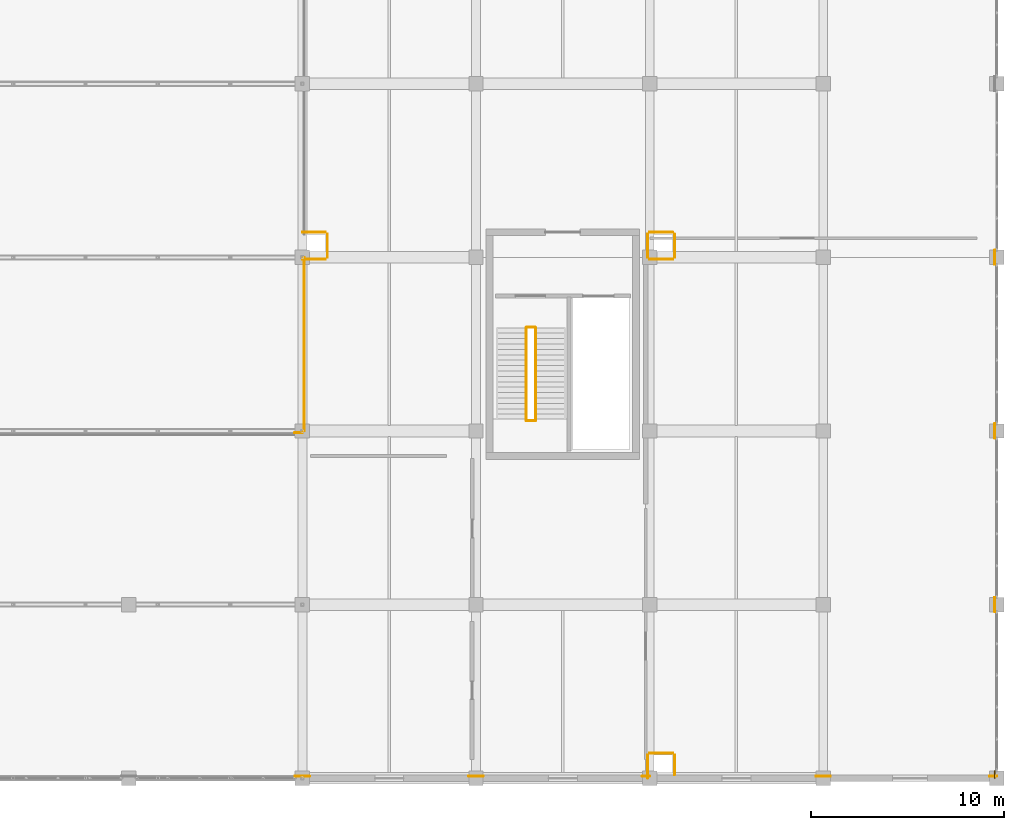
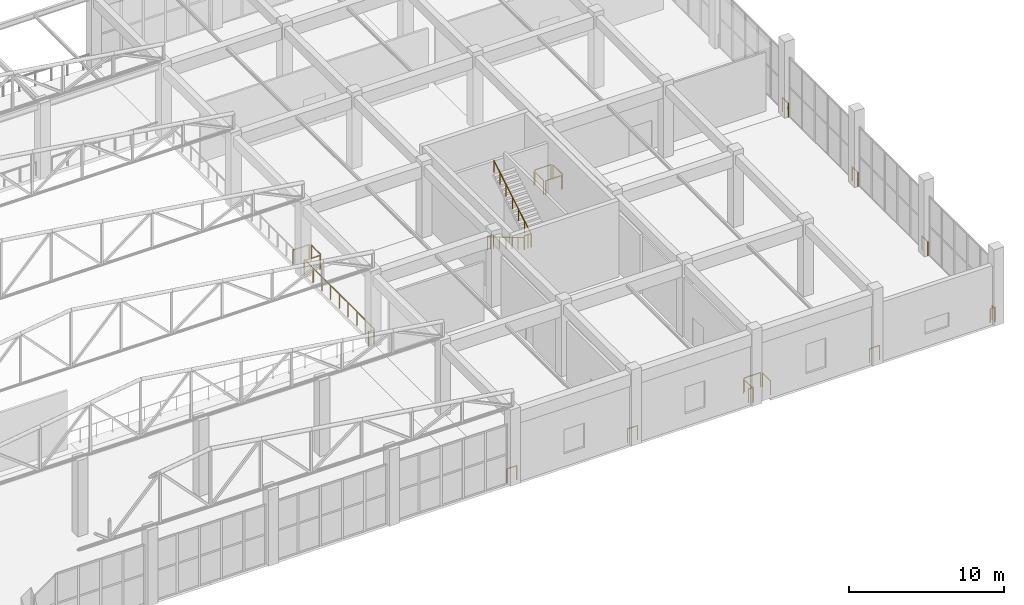
# One storey, part 215 of 223: 25 railings.
"""IFC4 building model written with IfcOpenShell, lengths in metres."""

from ifc_helpers import new_model, si_unit, direction, frame, origin, origin_2d, place, context, subcontext, project, spatial, circle, extrude, material, type_object, element, save


model = new_model("IFC4")

# Units and contexts
model_context = context("Model", 3, precision=1e-05, world=origin(), true_north=direction((0.0, 1.0)))
body_context = subcontext(model_context, "Body", "Model", "MODEL_VIEW")
ifc_project = project(units=[si_unit("LENGTHUNIT", "METRE"), si_unit("AREAUNIT", "SQUARE_METRE"), si_unit("VOLUMEUNIT", "CUBIC_METRE"), si_unit("PLANEANGLEUNIT", "RADIAN"), si_unit("MASSUNIT", "GRAM", prefix="KILO")], contexts=[model_context])

# Site, building, storey
site_placement = place(None, origin())
site = spatial("IfcSite", under=ifc_project, at=site_placement, CompositionType="ELEMENT")
building_placement = place(site_placement, origin())
building = spatial("IfcBuilding", under=site, at=building_placement, Name="Dornveld Trade and Exhibition Forum", CompositionType="ELEMENT")
storey_placement = place(building_placement, frame((0.0, 0.0, 6.0)))
storey = spatial("IfcBuildingStorey", under=building, at=storey_placement, Name="L01", CompositionType="ELEMENT", Elevation=6.0)

# Railings
ifc_material_1 = material(Name="Dark-bronze steel and laminated glass balustrade", Category="steel")
railing_type_1 = type_object("IfcRailingType", Name="RL-BALUST-CONC", PredefinedType="BALUSTRADE", material=ifc_material_1)
railing_1_placement = place(storey_placement, frame((197.60009765625, 17.89990234375, 0.0)))
element("IfcRailing", 1, at=railing_1_placement, inside=storey, type_object=railing_type_1, Name="L01 deck edge balustrade 2", PredefinedType="BALUSTRADE", context=body_context, shape_type="SweptSolid", body=[
    extrude(circle(Radius=0.02490234375, at=origin_2d()), frame((0.0, 0.0, 1.09521484375), z_axis=(1.0, 0.0, 0.0), x_axis=(0.0, 1.0, 0.0)), (0.0, 0.0, 1.0), 0.39990234375),
    extrude(circle(Radius=0.02099609375, at=origin_2d()), origin(), (0.0, 0.0, 1.0), 1.070068359375),
    extrude(circle(Radius=0.02099609375, at=origin_2d()), frame((0.39990234375, 0.0, 0.0)), (0.0, 0.0, 1.0), 1.070068359375),
])
railing_2_placement = place(storey_placement, frame((198.10009765625, 18.0, 0.0)))
element("IfcRailing", 2, at=railing_2_placement, inside=storey, type_object=railing_type_1, Name="L01 deck edge balustrade 3", PredefinedType="BALUSTRADE", context=body_context, shape_type="SweptSolid", body=[
    extrude(circle(Radius=0.02490234375, at=origin_2d()), frame((0.0, 0.0, 1.09521484375), z_axis=(0.0, 1.0, 0.0), x_axis=(-1.0, 0.0, 0.0)), (0.0, 0.0, 1.0), 9.0),
    extrude(circle(Radius=0.02099609375, at=origin_2d()), origin(), (0.0, 0.0, 1.0), 1.070068359375),
    extrude(circle(Radius=0.02099609375, at=origin_2d()), frame((0.0, 1.125, 0.0)), (0.0, 0.0, 1.0), 1.070068359375),
    extrude(circle(Radius=0.02099609375, at=origin_2d()), frame((0.0, 2.25, 0.0)), (0.0, 0.0, 1.0), 1.070068359375),
    extrude(circle(Radius=0.02099609375, at=origin_2d()), frame((0.0, 3.375, 0.0)), (0.0, 0.0, 1.0), 1.070068359375),
    extrude(circle(Radius=0.02099609375, at=origin_2d()), frame((0.0, 4.5, 0.0)), (0.0, 0.0, 1.0), 1.070068359375),
    extrude(circle(Radius=0.02099609375, at=origin_2d()), frame((0.0, 5.625, 0.0)), (0.0, 0.0, 1.0), 1.070068359375),
    extrude(circle(Radius=0.02099609375, at=origin_2d()), frame((0.0, 6.75, 0.0)), (0.0, 0.0, 1.0), 1.070068359375),
    extrude(circle(Radius=0.02099609375, at=origin_2d()), frame((0.0, 7.875, 0.0)), (0.0, 0.0, 1.0), 1.070068359375),
    extrude(circle(Radius=0.02099609375, at=origin_2d()), frame((0.0, 9.0, 0.0)), (0.0, 0.0, 1.0), 1.070068359375),
])
railing_3_placement = place(storey_placement, frame((198.0, 26.89990234375, 0.0)))
element("IfcRailing", 3, at=railing_3_placement, inside=storey, type_object=railing_type_1, Name="L01 deck edge balustrade 4", PredefinedType="BALUSTRADE", context=body_context, shape_type="SweptSolid", body=[
    extrude(circle(Radius=0.02490234375, at=origin_2d()), frame((0.0, 0.0, 1.09521484375), z_axis=(1.0, 0.0, 0.0), x_axis=(0.0, 1.0, 0.0)), (0.0, 0.0, 1.0), 1.199951171875),
    extrude(circle(Radius=0.02099609375, at=origin_2d()), origin(), (0.0, 0.0, 1.0), 1.070068359375),
    extrude(circle(Radius=0.02099609375, at=origin_2d()), frame((1.199951171875, 0.0, 0.0)), (0.0, 0.0, 1.0), 1.070068359375),
])
railing_4_placement = place(storey_placement, frame((199.300048828125, 27.0, 0.0)))
element("IfcRailing", 4, at=railing_4_placement, inside=storey, type_object=railing_type_1, Name="L01 deck edge balustrade 5", PredefinedType="BALUSTRADE", context=body_context, shape_type="SweptSolid", body=[
    extrude(circle(Radius=0.02490234375, at=origin_2d()), frame((0.0, 0.0, 1.09521484375), z_axis=(0.0, 1.0, 0.0), x_axis=(-1.0, 0.0, 0.0)), (0.0, 0.0, 1.0), 1.199951171875),
    extrude(circle(Radius=0.02099609375, at=origin_2d()), origin(), (0.0, 0.0, 1.0), 1.070068359375),
    extrude(circle(Radius=0.02099609375, at=origin_2d()), frame((0.0, 1.199951171875, 0.0)), (0.0, 0.0, 1.0), 1.070068359375),
])
railing_5_placement = place(storey_placement, frame((199.199951171875, 28.300048828125, 0.0)))
element("IfcRailing", 5, at=railing_5_placement, inside=storey, type_object=railing_type_1, Name="L01 deck edge balustrade 6", PredefinedType="BALUSTRADE", context=body_context, shape_type="SweptSolid", body=[
    extrude(circle(Radius=0.02490234375, at=origin_2d()), frame((0.0, 0.0, 1.09521484375), z_axis=(-1.0, 0.0, 0.0), x_axis=(0.0, -1.0, 0.0)), (0.0, 0.0, 1.0), 1.199951171875),
    extrude(circle(Radius=0.02099609375, at=origin_2d()), origin(), (0.0, 0.0, 1.0), 1.070068359375),
    extrude(circle(Radius=0.02099609375, at=origin_2d()), frame((-1.199951171875, 0.0, 0.0)), (0.0, 0.0, 1.0), 1.070068359375),
])
for number, where, name in (
    (6, (233.89990234375, 27.37109375, 0.0), "L01 deck edge balustrade 32"),
    (7, (233.89990234375, 18.37109375, 0.0), "L01 deck edge balustrade 33"),
    (8, (233.89990234375, 9.37109375, 0.0), "L01 deck edge balustrade 34"),
):
    element("IfcRailing", number, at=place(storey_placement, frame(where)), inside=storey, type_object=railing_type_1, Name=name, PredefinedType="BALUSTRADE", context=body_context, shape_type="SweptSolid", body=[
        extrude(circle(Radius=0.02490234375, at=origin_2d()), frame((0.0, 0.0, 1.09521484375), z_axis=(0.0, -1.0, 0.0), x_axis=(1.0, 0.0, 0.0)), (0.0, 0.0, 1.0), 0.7421875),
        extrude(circle(Radius=0.02099609375, at=origin_2d()), origin(), (0.0, 0.0, 1.0), 1.070068359375),
        extrude(circle(Radius=0.02099609375, at=origin_2d()), frame((0.0, -0.7421875, 0.0)), (0.0, 0.0, 1.0), 1.070068359375),
    ])
railing_6_placement = place(storey_placement, frame((233.89990234375, 0.37109375, 0.0)))
element("IfcRailing", 9, at=railing_6_placement, inside=storey, type_object=railing_type_1, Name="L01 deck edge balustrade 35", PredefinedType="BALUSTRADE", context=body_context, shape_type="SweptSolid", body=[
    extrude(circle(Radius=0.02490234375, at=origin_2d()), frame((0.0, 0.0, 1.09521484375), z_axis=(0.0, -1.0, 0.0), x_axis=(1.0, 0.0, 0.0)), (0.0, 0.0, 1.0), 0.37109375),
    extrude(circle(Radius=0.02099609375, at=origin_2d()), origin(), (0.0, 0.0, 1.0), 1.070068359375),
    extrude(circle(Radius=0.02099609375, at=origin_2d()), frame((0.0, -0.37109375, 0.0)), (0.0, 0.0, 1.0), 1.070068359375),
])
railing_7_placement = place(storey_placement, frame((234.0, 0.10009765625, 0.0)))
element("IfcRailing", 10, at=railing_7_placement, inside=storey, type_object=railing_type_1, Name="L01 deck edge balustrade 36", PredefinedType="BALUSTRADE", context=body_context, shape_type="SweptSolid", body=[
    extrude(circle(Radius=0.02490234375, at=origin_2d()), frame((0.0, 0.0, 1.09521484375), z_axis=(-1.0, 0.0, 0.0), x_axis=(0.0, -1.0, 0.0)), (0.0, 0.0, 1.0), 0.37451171875),
    extrude(circle(Radius=0.02099609375, at=origin_2d()), origin(), (0.0, 0.0, 1.0), 1.070068359375),
    extrude(circle(Radius=0.02099609375, at=origin_2d()), frame((-0.37451171875, 0.0, 0.0)), (0.0, 0.0, 1.0), 1.070068359375),
])
railing_8_placement = place(storey_placement, frame((225.37451171875, 0.10009765625, 0.0)))
element("IfcRailing", 11, at=railing_8_placement, inside=storey, type_object=railing_type_1, Name="L01 deck edge balustrade 37", PredefinedType="BALUSTRADE", context=body_context, shape_type="SweptSolid", body=[
    extrude(circle(Radius=0.02490234375, at=origin_2d()), frame((0.0, 0.0, 1.09521484375), z_axis=(-1.0, 0.0, 0.0), x_axis=(0.0, -1.0, 0.0)), (0.0, 0.0, 1.0), 0.7490234375),
    extrude(circle(Radius=0.02099609375, at=origin_2d()), origin(), (0.0, 0.0, 1.0), 1.070068359375),
    extrude(circle(Radius=0.02099609375, at=origin_2d()), frame((-0.7490234375, 0.0, 0.0)), (0.0, 0.0, 1.0), 1.070068359375),
])
railing_9_placement = place(storey_placement, frame((217.300048828125, 0.179931640625, 0.0)))
element("IfcRailing", 12, at=railing_9_placement, inside=storey, type_object=railing_type_1, Name="L01 deck edge balustrade 38", PredefinedType="BALUSTRADE", context=body_context, shape_type="SweptSolid", body=[
    extrude(circle(Radius=0.02490234375, at=origin_2d()), frame((0.0, 0.0, 1.09521484375), z_axis=(0.0, 1.0, 0.0), x_axis=(-1.0, 0.0, 0.0)), (0.0, 0.0, 1.0), 1.02001953125),
    extrude(circle(Radius=0.02099609375, at=origin_2d()), origin(), (0.0, 0.0, 1.0), 1.070068359375),
    extrude(circle(Radius=0.02099609375, at=origin_2d()), frame((0.0, 1.02001953125, 0.0)), (0.0, 0.0, 1.0), 1.070068359375),
])
railing_10_placement = place(storey_placement, frame((217.199951171875, 1.300048828125, 0.0)))
element("IfcRailing", 13, at=railing_10_placement, inside=storey, type_object=railing_type_1, Name="L01 deck edge balustrade 39", PredefinedType="BALUSTRADE", context=body_context, shape_type="SweptSolid", body=[
    extrude(circle(Radius=0.02490234375, at=origin_2d()), frame((0.0, 0.0, 1.09521484375), z_axis=(-1.0, 0.0, 0.0), x_axis=(0.0, -1.0, 0.0)), (0.0, 0.0, 1.0), 1.199951171875),
    extrude(circle(Radius=0.02099609375, at=origin_2d()), origin(), (0.0, 0.0, 1.0), 1.070068359375),
    extrude(circle(Radius=0.02099609375, at=origin_2d()), frame((-1.199951171875, 0.0, 0.0)), (0.0, 0.0, 1.0), 1.070068359375),
])
railing_11_placement = place(storey_placement, frame((215.89990234375, 1.199951171875, 0.0)))
element("IfcRailing", 14, at=railing_11_placement, inside=storey, type_object=railing_type_1, Name="L01 deck edge balustrade 40", PredefinedType="BALUSTRADE", context=body_context, shape_type="SweptSolid", body=[
    extrude(circle(Radius=0.02490234375, at=origin_2d()), frame((0.0, 0.0, 1.09521484375), z_axis=(0.0, -1.0, 0.0), x_axis=(1.0, 0.0, 0.0)), (0.0, 0.0, 1.0), 1.199951171875),
    extrude(circle(Radius=0.02099609375, at=origin_2d()), origin(), (0.0, 0.0, 1.0), 1.070068359375),
    extrude(circle(Radius=0.02099609375, at=origin_2d()), frame((0.0, -1.199951171875, 0.0)), (0.0, 0.0, 1.0), 1.070068359375),
])
railing_12_placement = place(storey_placement, frame((216.0, 0.10009765625, 0.0)))
element("IfcRailing", 15, at=railing_12_placement, inside=storey, type_object=railing_type_1, Name="L01 deck edge balustrade 41", PredefinedType="BALUSTRADE", context=body_context, shape_type="SweptSolid", body=[
    extrude(circle(Radius=0.02490234375, at=origin_2d()), frame((0.0, 0.0, 1.09521484375), z_axis=(-1.0, 0.0, 0.0), x_axis=(0.0, -1.0, 0.0)), (0.0, 0.0, 1.0), 0.37451171875),
    extrude(circle(Radius=0.02099609375, at=origin_2d()), origin(), (0.0, 0.0, 1.0), 1.070068359375),
    extrude(circle(Radius=0.02099609375, at=origin_2d()), frame((-0.37451171875, 0.0, 0.0)), (0.0, 0.0, 1.0), 1.070068359375),
])
railing_13_placement = place(storey_placement, frame((207.37451171875, 0.10009765625, 0.0)))
element("IfcRailing", 16, at=railing_13_placement, inside=storey, type_object=railing_type_1, Name="L01 deck edge balustrade 42", PredefinedType="BALUSTRADE", context=body_context, shape_type="SweptSolid", body=[
    extrude(circle(Radius=0.02490234375, at=origin_2d()), frame((0.0, 0.0, 1.09521484375), z_axis=(-1.0, 0.0, 0.0), x_axis=(0.0, -1.0, 0.0)), (0.0, 0.0, 1.0), 0.7490234375),
    extrude(circle(Radius=0.02099609375, at=origin_2d()), origin(), (0.0, 0.0, 1.0), 1.070068359375),
    extrude(circle(Radius=0.02099609375, at=origin_2d()), frame((-0.7490234375, 0.0, 0.0)), (0.0, 0.0, 1.0), 1.070068359375),
])
railing_14_placement = place(storey_placement, frame((198.37451171875, 0.10009765625, 0.0)))
element("IfcRailing", 17, at=railing_14_placement, inside=storey, type_object=railing_type_1, Name="L01 deck edge balustrade 43", PredefinedType="BALUSTRADE", context=body_context, shape_type="SweptSolid", body=[
    extrude(circle(Radius=0.02490234375, at=origin_2d()), frame((0.0, 0.0, 1.09521484375), z_axis=(-1.0, 0.0, 0.0), x_axis=(0.0, -1.0, 0.0)), (0.0, 0.0, 1.0), 0.74560546875),
    extrude(circle(Radius=0.02099609375, at=origin_2d()), origin(), (0.0, 0.0, 1.0), 1.070068359375),
    extrude(circle(Radius=0.02099609375, at=origin_2d()), frame((-0.74560546875, 0.0, 0.0)), (0.0, 0.0, 1.0), 1.070068359375),
])
railing_15_placement = place(storey_placement, frame((217.300048828125, 27.0, 0.0)))
element("IfcRailing", 18, at=railing_15_placement, inside=storey, type_object=railing_type_1, Name="L01 deck edge balustrade 49", PredefinedType="BALUSTRADE", context=body_context, shape_type="SweptSolid", body=[
    extrude(circle(Radius=0.02490234375, at=origin_2d()), frame((0.0, 0.0, 1.09521484375), z_axis=(0.0, 1.0, 0.0), x_axis=(-1.0, 0.0, 0.0)), (0.0, 0.0, 1.0), 1.199951171875),
    extrude(circle(Radius=0.02099609375, at=origin_2d()), origin(), (0.0, 0.0, 1.0), 1.070068359375),
    extrude(circle(Radius=0.02099609375, at=origin_2d()), frame((0.0, 1.199951171875, 0.0)), (0.0, 0.0, 1.0), 1.070068359375),
])
railing_16_placement = place(storey_placement, frame((217.199951171875, 28.300048828125, 0.0)))
element("IfcRailing", 19, at=railing_16_placement, inside=storey, type_object=railing_type_1, Name="L01 deck edge balustrade 50", PredefinedType="BALUSTRADE", context=body_context, shape_type="SweptSolid", body=[
    extrude(circle(Radius=0.02490234375, at=origin_2d()), frame((0.0, 0.0, 1.09521484375), z_axis=(-1.0, 0.0, 0.0), x_axis=(0.0, -1.0, 0.0)), (0.0, 0.0, 1.0), 1.199951171875),
    extrude(circle(Radius=0.02099609375, at=origin_2d()), origin(), (0.0, 0.0, 1.0), 1.070068359375),
    extrude(circle(Radius=0.02099609375, at=origin_2d()), frame((-1.199951171875, 0.0, 0.0)), (0.0, 0.0, 1.0), 1.070068359375),
])
railing_17_placement = place(storey_placement, frame((215.89990234375, 28.199951171875, 0.0)))
element("IfcRailing", 20, at=railing_17_placement, inside=storey, type_object=railing_type_1, Name="L01 deck edge balustrade 51", PredefinedType="BALUSTRADE", context=body_context, shape_type="SweptSolid", body=[
    extrude(circle(Radius=0.02490234375, at=origin_2d()), frame((0.0, 0.0, 1.09521484375), z_axis=(0.0, -1.0, 0.0), x_axis=(1.0, 0.0, 0.0)), (0.0, 0.0, 1.0), 1.199951171875),
    extrude(circle(Radius=0.02099609375, at=origin_2d()), origin(), (0.0, 0.0, 1.0), 1.070068359375),
    extrude(circle(Radius=0.02099609375, at=origin_2d()), frame((0.0, -1.199951171875, 0.0)), (0.0, 0.0, 1.0), 1.070068359375),
])
railing_18_placement = place(storey_placement, frame((216.0, 26.89990234375, 0.0)))
element("IfcRailing", 21, at=railing_18_placement, inside=storey, type_object=railing_type_1, Name="L01 deck edge balustrade 52", PredefinedType="BALUSTRADE", context=body_context, shape_type="SweptSolid", body=[
    extrude(circle(Radius=0.02490234375, at=origin_2d()), frame((0.0, 0.0, 1.09521484375), z_axis=(1.0, 0.0, 0.0), x_axis=(0.0, 1.0, 0.0)), (0.0, 0.0, 1.0), 1.199951171875),
    extrude(circle(Radius=0.02099609375, at=origin_2d()), origin(), (0.0, 0.0, 1.0), 1.070068359375),
    extrude(circle(Radius=0.02099609375, at=origin_2d()), frame((1.199951171875, 0.0, 0.0)), (0.0, 0.0, 1.0), 1.070068359375),
])
ifc_material_2 = material(Name="Brushed stainless steel handrail", Category="steel")
railing_type_2 = type_object("IfcRailingType", Name="RL-HAND-920", PredefinedType="HANDRAIL", material=ifc_material_2)
railing_19_placement = place(storey_placement, frame((209.60498046875, 23.35009765625, 0.166748046875)))
element("IfcRailing", 22, at=railing_19_placement, inside=storey, type_object=railing_type_2, Name="ST-11-L01 flight 1 handrail", PredefinedType="HANDRAIL", context=body_context, shape_type="SweptSolid", body=[
    extrude(circle(Radius=0.02099609375, at=origin_2d()), frame((0.0, 0.0, 0.89892578125), z_axis=(0.0, -0.859299802514, 0.511472237174), x_axis=(1.0, 0.0, 0.0)), (0.0, 0.0, 1.0), 5.539306640625),
    extrude(circle(Radius=0.01806640625, at=origin_2d()), origin(), (0.0, 0.0, 1.0), 0.8779296875),
    extrude(circle(Radius=0.01806640625, at=origin_2d()), frame((0.0, -0.79345703125, 0.47216796875)), (0.0, 0.0, 1.0), 0.8779296875),
    extrude(circle(Radius=0.01806640625, at=origin_2d()), frame((0.0, -1.586669921875, 0.9443359375)), (0.0, 0.0, 1.0), 0.8779296875),
    extrude(circle(Radius=0.01806640625, at=origin_2d()), frame((0.0, -2.3798828125, 1.41650390625)), (0.0, 0.0, 1.0), 0.8779296875),
    extrude(circle(Radius=0.01806640625, at=origin_2d()), frame((0.0, -3.17333984375, 1.888916015625)), (0.0, 0.0, 1.0), 0.8779296875),
    extrude(circle(Radius=0.01806640625, at=origin_2d()), frame((0.0, -3.966796875, 2.361083984375)), (0.0, 0.0, 1.0), 0.8779296875),
    extrude(circle(Radius=0.01806640625, at=origin_2d()), frame((0.0, -4.760009765625, 2.833251953125)), (0.0, 0.0, 1.0), 0.8779296875),
])
railing_20_placement = place(storey_placement, frame((210.094970703125, 18.590087890625, 3.166748046875)))
element("IfcRailing", 23, at=railing_20_placement, inside=storey, type_object=railing_type_2, Name="ST-11-L01 flight 2 handrail", PredefinedType="HANDRAIL", context=body_context, shape_type="SweptSolid", body=[
    extrude(circle(Radius=0.02099609375, at=origin_2d()), frame((0.0, 0.0, 0.89892578125), z_axis=(0.0, 0.859299802514, 0.511472237174), x_axis=(-1.0, 0.0, 0.0)), (0.0, 0.0, 1.0), 5.539306640625),
    extrude(circle(Radius=0.01806640625, at=origin_2d()), origin(), (0.0, 0.0, 1.0), 0.8779296875),
    extrude(circle(Radius=0.01806640625, at=origin_2d()), frame((0.0, 0.79345703125, 0.47216796875)), (0.0, 0.0, 1.0), 0.8779296875),
    extrude(circle(Radius=0.01806640625, at=origin_2d()), frame((0.0, 1.586669921875, 0.9443359375)), (0.0, 0.0, 1.0), 0.8779296875),
    extrude(circle(Radius=0.01806640625, at=origin_2d()), frame((0.0, 2.3798828125, 1.41650390625)), (0.0, 0.0, 1.0), 0.8779296875),
    extrude(circle(Radius=0.01806640625, at=origin_2d()), frame((0.0, 3.17333984375, 1.888916015625)), (0.0, 0.0, 1.0), 0.8779296875),
    extrude(circle(Radius=0.01806640625, at=origin_2d()), frame((0.0, 3.966796875, 2.361083984375)), (0.0, 0.0, 1.0), 0.8779296875),
    extrude(circle(Radius=0.01806640625, at=origin_2d()), frame((0.0, 4.760009765625, 2.833251953125)), (0.0, 0.0, 1.0), 0.8779296875),
])
ifc_material_3 = material(Name="Painted steel S355J2 stair-well guard", Category="steel")
railing_type_3 = type_object("IfcRailingType", Name="RL-WELL-110", PredefinedType="GUARDRAIL", material=ifc_material_3)
railing_21_placement = place(storey_placement, frame((209.60498046875, 18.5400390625, 3.0)))
element("IfcRailing", 24, at=railing_21_placement, inside=storey, type_object=railing_type_3, Name="ST-11-L01 half-landing well guard", PredefinedType="GUARDRAIL", context=body_context, shape_type="SweptSolid", body=[
    extrude(circle(Radius=0.02392578125, at=origin_2d()), frame((0.0, 0.0, 1.076171875), z_axis=(1.0, 0.0, 0.0), x_axis=(0.0, 1.0, 0.0)), (0.0, 0.0, 1.0), 0.489990234375),
    extrude(circle(Radius=0.02001953125, at=origin_2d()), origin(), (0.0, 0.0, 1.0), 1.052001953125),
    extrude(circle(Radius=0.02001953125, at=origin_2d()), frame((0.2451171875, 0.0, 0.0)), (0.0, 0.0, 1.0), 1.052001953125),
    extrude(circle(Radius=0.02001953125, at=origin_2d()), frame((0.489990234375, 0.0, 0.0)), (0.0, 0.0, 1.0), 1.052001953125),
])
railing_22_placement = place(storey_placement, frame((209.635009765625, 23.3701171875, 0.0)))
element("IfcRailing", 25, at=railing_22_placement, inside=storey, type_object=railing_type_3, Name="CORE-11 L01 stair-slot floor guard", PredefinedType="GUARDRAIL", context=body_context, shape_type="SweptSolid", body=[
    extrude(circle(Radius=0.02392578125, at=origin_2d()), frame((0.0, 0.0, 1.076171875), z_axis=(1.0, 0.0, 0.0), x_axis=(0.0, 1.0, 0.0)), (0.0, 0.0, 1.0), 0.429931640625),
    extrude(circle(Radius=0.02001953125, at=origin_2d()), origin(), (0.0, 0.0, 1.0), 1.052001953125),
    extrude(circle(Radius=0.02001953125, at=origin_2d()), frame((0.21484375, 0.0, 0.0)), (0.0, 0.0, 1.0), 1.052001953125),
    extrude(circle(Radius=0.02001953125, at=origin_2d()), frame((0.429931640625, 0.0, 0.0)), (0.0, 0.0, 1.0), 1.052001953125),
])

save(model, "model.ifc")
